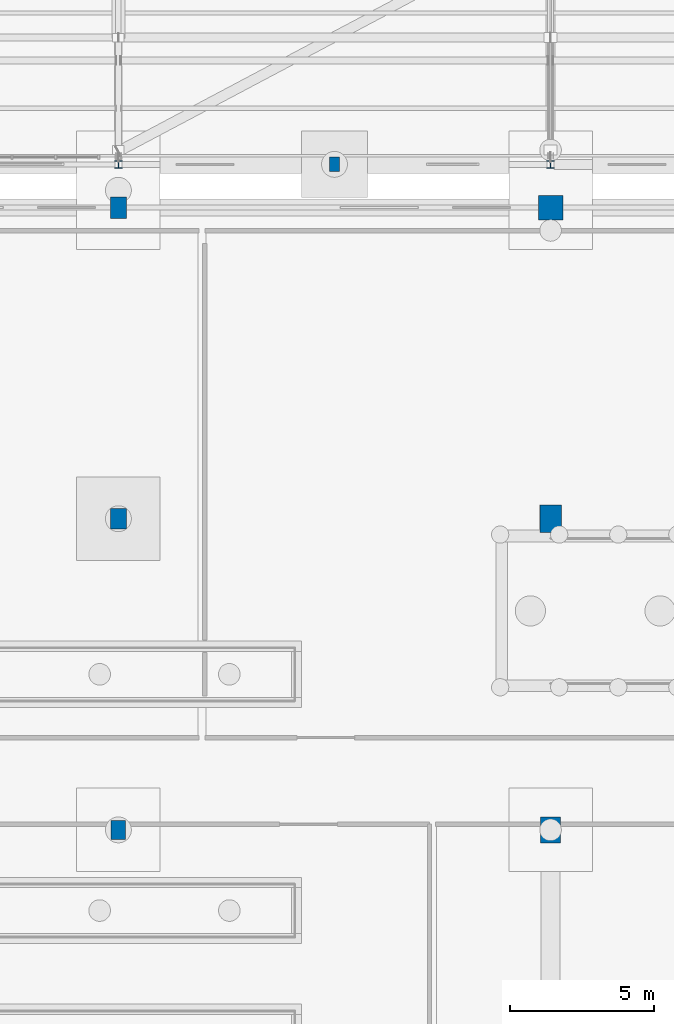
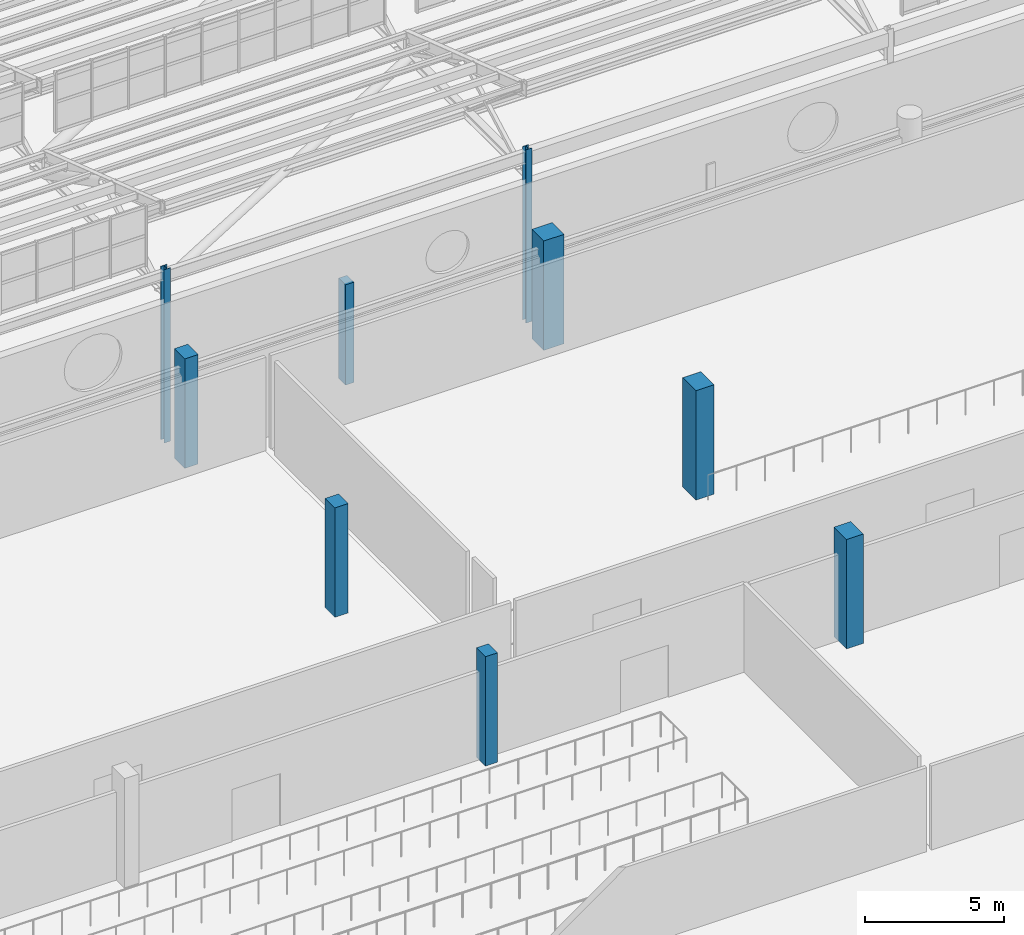
# One storey, part 14 of 285: 9 columns.
"""IFC4 building model written with IfcOpenShell, lengths in metres."""

import ifcopenshell
import ifcopenshell.guid

model = None  # the IFC model being written
_history = None  # IfcOwnerHistory: only IFC2X3 demands one
_inside = {}  # id of a spatial element -> (the spatial element, [elements in it])
_under = {}  # id of a project, library or spatial element -> (it, [spatial elements below it])
_declared = {}  # id of a project -> (the project, [libraries it declares])
_typed = {}  # id of a type object -> (the type object, [elements of that type])
_made_of = {}  # id of a material, layer set ... -> (it, [elements and type objects made of it])


def new_model(schema):
    """Start an empty IFC model of exactly this schema.

    Asked for "IFC4X3", IfcOpenShell would pick the latest addendum, in which some entities
    have other attributes; the version numbers below select the first issue.
    IFC2X3 requires an IfcOwnerHistory on every rooted entity: one is made here for all.
    """
    global model, _history
    if schema == "IFC4X3":
        model = ifcopenshell.file(schema_version=(4, 3, 0, 0))
    else:
        model = ifcopenshell.file(schema=schema)
    _inside.clear()
    _under.clear()
    _declared.clear()
    _typed.clear()
    _made_of.clear()
    _history = None
    if model.schema == "IFC2X3":
        org = make("IfcOrganization", Name="unknown")
        user = make(
            "IfcPersonAndOrganization",
            ThePerson=make("IfcPerson", FamilyName="unknown"),
            TheOrganization=org,
        )
        app = make(
            "IfcApplication",
            ApplicationDeveloper=org,
            Version="unknown",
            ApplicationFullName="unknown",
            ApplicationIdentifier="unknown",
        )
        _history = make(
            "IfcOwnerHistory",
            OwningUser=user,
            OwningApplication=app,
            ChangeAction="ADDED",
            CreationDate=0,
        )
    return model


def make(cls, **values):
    """One entity of the class cls with the attributes given. An attribute that is None is left unset."""
    return model.create_entity(
        cls, **{name: value for name, value in values.items() if value is not None}
    )


def rooted(cls, **values):
    """An entity with a GlobalId (a new one), such as an element, a storey or a relation."""
    return make(cls, GlobalId=ifcopenshell.guid.new(), OwnerHistory=_history, **values)


def si_unit(unit_type, name, prefix=None):
    """IfcSIUnit, for example si_unit("LENGTHUNIT", "METRE", prefix="MILLI")."""
    return make("IfcSIUnit", UnitType=unit_type, Prefix=prefix, Name=name)


def assignment(units):
    """IfcUnitAssignment: the units of a project."""
    return None if units is None else make("IfcUnitAssignment", Units=units)


def point(xyz):
    """IfcCartesianPoint."""
    return None if xyz is None else make("IfcCartesianPoint", Coordinates=xyz)


def direction(xyz):
    """IfcDirection."""
    return None if xyz is None else make("IfcDirection", DirectionRatios=xyz)


def frame(location, z_axis=None, x_axis=None):
    """IfcAxis2Placement3D, a coordinate frame: its origin and axes. An axis left out is left unset."""
    return make(
        "IfcAxis2Placement3D",
        Location=point(location),
        Axis=direction(z_axis),
        RefDirection=direction(x_axis),
    )


def frame_2d(location, x_axis=None):
    """IfcAxis2Placement2D, a coordinate frame in the plane: its origin and x axis."""
    return make(
        "IfcAxis2Placement2D", Location=point(location), RefDirection=direction(x_axis)
    )


def origin():
    """The frame at (0, 0, 0) with its axes left unset."""
    return frame((0.0, 0.0, 0.0))


def origin_2d():
    """The frame at (0, 0) in the plane with its x axis left unset."""
    return frame_2d((0.0, 0.0))


def place(relative_to, where):
    """IfcLocalPlacement: puts the frame where relative to a parent placement (None: the world)."""
    return make(
        "IfcLocalPlacement", PlacementRelTo=relative_to, RelativePlacement=where
    )


def context(
    kind, dimensions, precision=None, world=None, true_north=None, identifier=None
):
    """IfcGeometricRepresentationContext, for example the 3D "Model" context."""
    return make(
        "IfcGeometricRepresentationContext",
        ContextIdentifier=identifier,
        ContextType=kind,
        CoordinateSpaceDimension=dimensions,
        Precision=precision,
        WorldCoordinateSystem=world,
        TrueNorth=true_north,
    )


def subcontext(parent, identifier, kind, view, scale=None):
    """IfcGeometricRepresentationSubContext, for example "Body" below "Model"."""
    return make(
        "IfcGeometricRepresentationSubContext",
        ContextIdentifier=identifier,
        ContextType=kind,
        ParentContext=parent,
        TargetScale=scale,
        TargetView=view,
    )


def project(units=None, contexts=None):
    """IfcProject with its units and contexts."""
    return rooted(
        "IfcProject",
        Name="project",
        RepresentationContexts=contexts,
        UnitsInContext=assignment(units),
    )


def spatial(cls, under=None, at=None, **own):
    """A site, building, storey or space (cls), placed at a placement, below another one or the project."""
    s = rooted(cls, ObjectPlacement=at, **own)
    if under is not None:
        _under.setdefault(under.id(), (under, []))[1].append(s)
    return s


def profile(cls, at=None, kind="AREA", **sizes):
    """A parametric profile (cls). Its sizes go by their IFC names, for example OverallWidth=200.0."""
    return make(cls, ProfileType=kind, Position=at, **sizes)


def rectangle(**sizes):
    """IfcRectangleProfileDef."""
    return profile("IfcRectangleProfileDef", **sizes)


def i_section(**sizes):
    """IfcIShapeProfileDef."""
    return profile("IfcIShapeProfileDef", **sizes)


def extrude(swept, where, along, depth):
    """IfcExtrudedAreaSolid: the profile swept, set in the frame where, extruded along a direction by depth."""
    return make(
        "IfcExtrudedAreaSolid",
        SweptArea=swept,
        Position=where,
        ExtrudedDirection=direction(along),
        Depth=depth,
    )


def shape(context_of_items, identifier, shape_type, items):
    """IfcShapeRepresentation: the items that make up one representation, for example the "Body"."""
    return make(
        "IfcShapeRepresentation",
        ContextOfItems=context_of_items,
        RepresentationIdentifier=identifier,
        RepresentationType=shape_type,
        Items=items,
    )


def material(Name=None, Category=None):
    """IfcMaterial."""
    return make("IfcMaterial", Name=Name, Category=Category)


def material_profile(
    of_material, cross_section, Name=None, Category=None, Priority=None
):
    """IfcMaterialProfile: a cross section and its material."""
    return make(
        "IfcMaterialProfile",
        Name=Name,
        Material=of_material,
        Profile=cross_section,
        Priority=Priority,
        Category=Category,
    )


def profile_set(profiles, Name=None, composite=None):
    """IfcMaterialProfileSet."""
    return make(
        "IfcMaterialProfileSet",
        Name=Name,
        MaterialProfiles=profiles,
        CompositeProfile=composite,
    )


def made_of(thing, what):
    """Note that an element or type object is made of a material, layer set ...; save() writes the relation."""
    if what is not None:
        _made_of.setdefault(what.id(), (what, []))[1].append(thing)
    return thing


def type_object(cls, material=None, **own):
    """A type object (cls), such as IfcWallType, which elements share."""
    return made_of(rooted(cls, **own), material)


def element(
    cls,
    number,
    at=None,
    inside=None,
    cuts=None,
    type_object=None,
    material=None,
    context=None,
    identifier="Body",
    shape_type=None,
    held_by="IfcProductDefinitionShape",
    body=None,
    shapes=None,
    **own,
):
    """One element of the class cls, such as IfcWall. Its Tag is "e" and its number.

    at: its placement. inside: the storey or other place that contains it. cuts: it is an
    opening in that element (IfcRelVoidsElement). A single representation is given by context,
    identifier, shape_type and body (its items); several are given by shapes. held_by: the class
    of the entity that holds the representations. save() writes the other relations.
    """
    e = rooted(cls, Tag="e%d" % number, ObjectPlacement=at, **own)
    if body is not None:
        shapes = [shape(context, identifier, shape_type, body)]
    if shapes is not None:
        e.Representation = make(held_by, Representations=shapes)
    if inside is not None:
        _inside.setdefault(inside.id(), (inside, []))[1].append(e)
    if cuts is not None:
        rooted(
            "IfcRelVoidsElement", RelatingBuildingElement=cuts, RelatedOpeningElement=e
        )
    if type_object is not None:
        _typed.setdefault(type_object.id(), (type_object, []))[1].append(e)
    return made_of(e, material)


def aggregate(whole, parts):
    """IfcRelAggregates: a whole, such as a stair, and the parts it consists of."""
    return rooted("IfcRelAggregates", RelatingObject=whole, RelatedObjects=parts)


def save(model, path):
    """Write the relations noted so far, then the file.

    IfcRelAggregates (storeys below a building ...), IfcRelContainedInSpatialStructure (elements
    in a storey), IfcRelDefinesByType, IfcRelAssociatesMaterial and IfcRelDeclares: one each for
    every whole, place, type object, material and project.
    """
    for whole, parts in _under.values():
        aggregate(whole, parts)
    for where, things in _inside.values():
        rooted(
            "IfcRelContainedInSpatialStructure",
            RelatedElements=things,
            RelatingStructure=where,
        )
    for kind, things in _typed.values():
        rooted("IfcRelDefinesByType", RelatedObjects=things, RelatingType=kind)
    for what, things in _made_of.values():
        rooted("IfcRelAssociatesMaterial", RelatedObjects=things, RelatingMaterial=what)
    for by, libraries in _declared.values():
        rooted("IfcRelDeclares", RelatingContext=by, RelatedDefinitions=libraries)
    model.write(path)


model = new_model("IFC4")

# Units and contexts
model_context = context("Model", 3, precision=1e-05, world=origin(), true_north=direction((0.0, 1.0)))
body_context = subcontext(model_context, "Body", "Model", "MODEL_VIEW")
ifc_project = project(units=[si_unit("LENGTHUNIT", "METRE"), si_unit("AREAUNIT", "SQUARE_METRE"), si_unit("VOLUMEUNIT", "CUBIC_METRE"), si_unit("PLANEANGLEUNIT", "RADIAN"), si_unit("MASSUNIT", "GRAM", prefix="KILO")], contexts=[model_context])

# Site, building, storey
site_placement = place(None, origin())
site = spatial("IfcSite", under=ifc_project, at=site_placement, CompositionType="ELEMENT")
building_placement = place(site_placement, origin())
building = spatial("IfcBuilding", under=site, at=building_placement, Name="Solanera Park Tramway Depot", CompositionType="ELEMENT")
storey_placement = place(building_placement, origin())
storey = spatial("IfcBuildingStorey", under=building, at=storey_placement, Name="L00", CompositionType="ELEMENT", Elevation=0.0)

# Columns
ifc_material_1 = material(Name="Concrete N40 (C40/50)", Category="concrete")
ifc_material_profile_1 = material_profile(ifc_material_1, rectangle(XDim=0.35009765625, YDim=0.5, at=origin_2d()), Name="PIL 350x500")
ifc_profile_set_1 = profile_set([ifc_material_profile_1], Name="Concrete N40 (C40/50)")
column_type_1 = type_object("IfcColumnType", Name="Classical Facade Pilaster PIL 350x500", PredefinedType="PILASTER", material=ifc_profile_set_1)
column_1_placement = place(storey_placement, frame((52.5, 55.5, 0.0), z_axis=(0.0, 0.0, 1.0), x_axis=(1.0, 0.0, 0.0)))
element("IfcColumn", 1, at=column_1_placement, inside=storey, type_object=column_type_1, Name="L00 Classical Pilaster 02", PredefinedType="PILASTER", context=body_context, shape_type="SweptSolid", body=[
    extrude(rectangle(XDim=0.35009765625, YDim=0.5, at=origin_2d()), origin(), (0.0, 0.0, 1.0), 4.39990234375),
])
ifc_material_2 = material(Name="Concrete N40 (C40/50)", Category="concrete")
ifc_material_profile_2 = material_profile(ifc_material_2, rectangle(XDim=0.550048828125, YDim=0.75, at=origin_2d()), Name="RC 550x750")
ifc_profile_set_2 = profile_set([ifc_material_profile_2], Name="Concrete N40 (C40/50)")
column_type_2 = type_object("IfcColumnType", Name="RC Column Ext RC 550x750", PredefinedType="COLUMN", material=ifc_profile_set_2)
column_2_placement = place(storey_placement, frame((45.0, 54.0, 0.0), z_axis=(0.0, 0.0, 1.0), x_axis=(1.0, 0.0, 0.0)))
element("IfcColumn", 2, at=column_2_placement, inside=storey, type_object=column_type_2, Name="L00 Column V2-X450-Y540", PredefinedType="COLUMN", context=body_context, shape_type="SweptSolid", body=[
    extrude(rectangle(XDim=0.550048828125, YDim=0.75, at=origin_2d()), origin(), (0.0, 0.0, 1.0), 4.800048828125),
])
ifc_material_3 = material(Name="Concrete N40 (C40/50)", Category="concrete")
ifc_material_profile_3 = material_profile(ifc_material_3, rectangle(XDim=0.85009765625, YDim=0.85009765625, at=origin_2d()), Name="RC 850x850")
ifc_profile_set_3 = profile_set([ifc_material_profile_3], Name="Concrete N40 (C40/50)")
column_type_3 = type_object("IfcColumnType", Name="RC Column Ext RC 850x850", PredefinedType="COLUMN", material=ifc_profile_set_3)
column_3_placement = place(storey_placement, frame((60.0, 54.0, 0.0), z_axis=(0.0, 0.0, 1.0), x_axis=(1.0, 0.0, 0.0)))
element("IfcColumn", 3, at=column_3_placement, inside=storey, type_object=column_type_3, Name="L00 Column V2-X600-Y540", PredefinedType="COLUMN", context=body_context, shape_type="SweptSolid", body=[
    extrude(rectangle(XDim=0.85009765625, YDim=0.85009765625, at=origin_2d()), origin(), (0.0, 0.0, 1.0), 4.800048828125),
])
ifc_material_4 = material(Name="Concrete N40 (C40/50)", Category="concrete")
ifc_material_profile_4 = material_profile(ifc_material_4, rectangle(XDim=0.5, YDim=0.64990234375, at=origin_2d()), Name="RC 500x650")
ifc_profile_set_4 = profile_set([ifc_material_profile_4], Name="Concrete N40 (C40/50)")
column_type_4 = type_object("IfcColumnType", Name="RC Column Int RC 500x650", PredefinedType="COLUMN", material=ifc_profile_set_4)
column_4_placement = place(storey_placement, frame((45.0, 32.39990234375, 0.0), z_axis=(0.0, 0.0, 1.0), x_axis=(1.0, 0.0, 0.0)))
element("IfcColumn", 4, at=column_4_placement, inside=storey, type_object=column_type_4, Name="L00 Column V2-X450-Y324", PredefinedType="COLUMN", context=body_context, shape_type="SweptSolid", body=[
    extrude(rectangle(XDim=0.5, YDim=0.64990234375, at=origin_2d()), origin(), (0.0, 0.0, 1.0), 4.800048828125),
])
ifc_material_5 = material(Name="Concrete N40 (C40/50)", Category="concrete")
ifc_material_profile_5 = material_profile(ifc_material_5, rectangle(XDim=0.550048828125, YDim=0.699951171875, at=origin_2d()), Name="RC 550x700")
ifc_profile_set_5 = profile_set([ifc_material_profile_5], Name="Concrete N40 (C40/50)")
column_type_5 = type_object("IfcColumnType", Name="RC Column Int RC 550x700", PredefinedType="COLUMN", material=ifc_profile_set_5)
column_5_placement = place(storey_placement, frame((45.0, 43.199951171875, 0.0), z_axis=(0.0, 0.0, 1.0), x_axis=(1.0, 0.0, 0.0)))
element("IfcColumn", 5, at=column_5_placement, inside=storey, type_object=column_type_5, Name="L00 Column V2-X450-Y432", PredefinedType="COLUMN", context=body_context, shape_type="SweptSolid", body=[
    extrude(rectangle(XDim=0.550048828125, YDim=0.699951171875, at=origin_2d()), origin(), (0.0, 0.0, 1.0), 4.800048828125),
])
ifc_material_6 = material(Name="Concrete N40 (C40/50)", Category="concrete")
ifc_material_profile_6 = material_profile(ifc_material_6, rectangle(XDim=0.699951171875, YDim=0.89990234375, at=origin_2d()), Name="RC 700x900")
ifc_profile_set_6 = profile_set([ifc_material_profile_6], Name="Concrete N40 (C40/50)")
column_type_6 = type_object("IfcColumnType", Name="RC Column Int RC 700x900", PredefinedType="COLUMN", material=ifc_profile_set_6)
column_6_placement = place(storey_placement, frame((60.0, 32.39990234375, 0.0), z_axis=(0.0, 0.0, 1.0), x_axis=(1.0, 0.0, 0.0)))
element("IfcColumn", 6, at=column_6_placement, inside=storey, type_object=column_type_6, Name="L00 Column V2-X600-Y324", PredefinedType="COLUMN", context=body_context, shape_type="SweptSolid", body=[
    extrude(rectangle(XDim=0.699951171875, YDim=0.89990234375, at=origin_2d()), origin(), (0.0, 0.0, 1.0), 4.800048828125),
])
ifc_material_7 = material(Name="Concrete N40 (C40/50)", Category="concrete")
ifc_material_profile_7 = material_profile(ifc_material_7, rectangle(XDim=0.75, YDim=0.949951171875, at=origin_2d()), Name="RC 750x950")
ifc_profile_set_7 = profile_set([ifc_material_profile_7], Name="Concrete N40 (C40/50)")
column_type_7 = type_object("IfcColumnType", Name="RC Column Int RC 750x950", PredefinedType="COLUMN", material=ifc_profile_set_7)
column_7_placement = place(storey_placement, frame((60.0, 43.199951171875, 0.0), z_axis=(0.0, 0.0, 1.0), x_axis=(1.0, 0.0, 0.0)))
element("IfcColumn", 7, at=column_7_placement, inside=storey, type_object=column_type_7, Name="L00 Column V2-X600-Y432", PredefinedType="COLUMN", context=body_context, shape_type="SweptSolid", body=[
    extrude(rectangle(XDim=0.75, YDim=0.949951171875, at=origin_2d()), origin(), (0.0, 0.0, 1.0), 4.800048828125),
])
ifc_material_8 = material(Name="Steel AS/NZS 3679.1 Grade 350", Category="steel")
ifc_material_profile_8 = material_profile(ifc_material_8, i_section(OverallWidth=0.255615234375, OverallDepth=0.260009765625, WebThickness=0.010498046875, FlangeThickness=0.017333984375, at=origin_2d()), Name="250UC89.5")
ifc_profile_set_8 = profile_set([ifc_material_profile_8], Name="Steel AS/NZS 3679.1 Grade 350")
column_type_8 = type_object("IfcColumnType", Name="Steel Column Ext 250UC89.5", PredefinedType="COLUMN", material=ifc_profile_set_8)
for number, where, z_axis, x_axis, name in (
    (8, (45.0, 55.5, 0.0), (0.0, 0.0, 1.0), (1.0, 0.0, 0.0), "L00 Column V1-X450-Y555"),
    (9, (60.0, 55.5, 0.0), (0.0, 0.0, 1.0), (1.0, 0.0, 0.0), "L00 Column V1-X600-Y555"),
):
    element("IfcColumn", number, at=place(storey_placement, frame(where, z_axis=z_axis, x_axis=x_axis)), inside=storey, type_object=column_type_8, Name=name, PredefinedType="COLUMN", context=body_context, shape_type="SweptSolid", body=[
        extrude(i_section(OverallWidth=0.255615234375, OverallDepth=0.260009765625, WebThickness=0.010498046875, FlangeThickness=0.017333984375, at=origin_2d()), origin(), (0.0, 0.0, 1.0), 7.60009765625),
    ])

save(model, "model.ifc")
